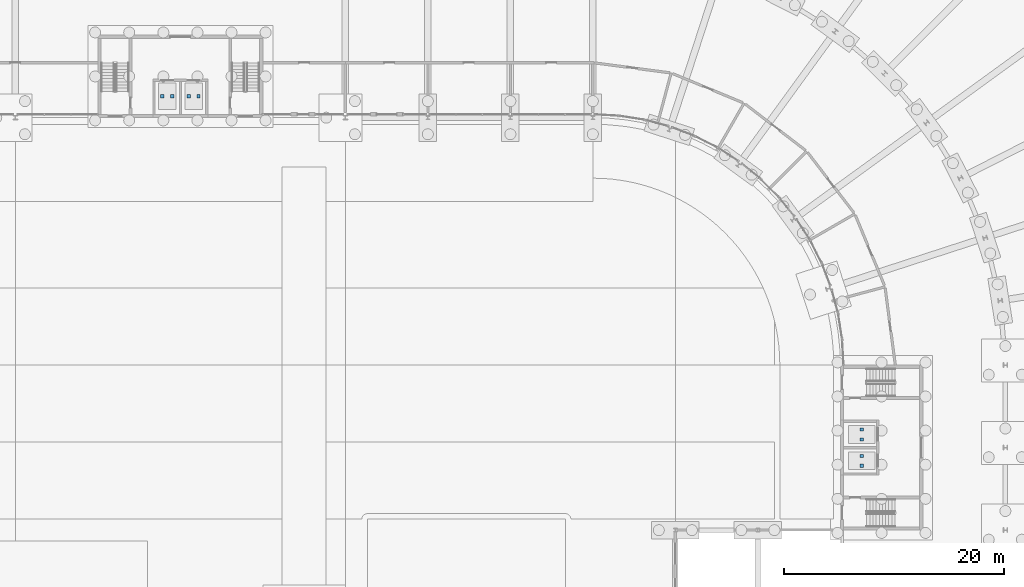
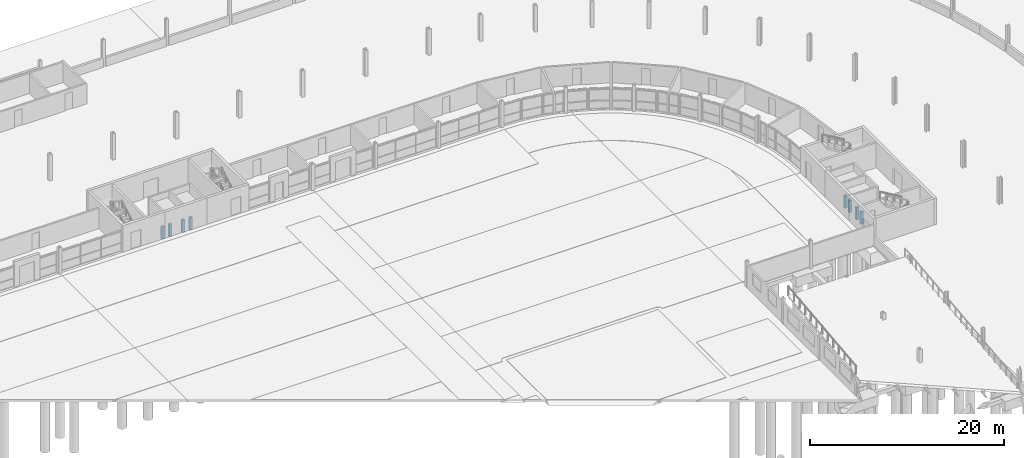
# One storey, part 100 of 130: 8 discrete accessories.
"""IFC4 building model written with IfcOpenShell, lengths in metres."""

import ifcopenshell
import ifcopenshell.guid

model = None  # the IFC model being written
_history = None  # IfcOwnerHistory: only IFC2X3 demands one
_inside = {}  # id of a spatial element -> (the spatial element, [elements in it])
_under = {}  # id of a project, library or spatial element -> (it, [spatial elements below it])
_declared = {}  # id of a project -> (the project, [libraries it declares])
_typed = {}  # id of a type object -> (the type object, [elements of that type])
_made_of = {}  # id of a material, layer set ... -> (it, [elements and type objects made of it])


def new_model(schema):
    """Start an empty IFC model of exactly this schema.

    Asked for "IFC4X3", IfcOpenShell would pick the latest addendum, in which some entities
    have other attributes; the version numbers below select the first issue.
    IFC2X3 requires an IfcOwnerHistory on every rooted entity: one is made here for all.
    """
    global model, _history
    if schema == "IFC4X3":
        model = ifcopenshell.file(schema_version=(4, 3, 0, 0))
    else:
        model = ifcopenshell.file(schema=schema)
    _inside.clear()
    _under.clear()
    _declared.clear()
    _typed.clear()
    _made_of.clear()
    _history = None
    if model.schema == "IFC2X3":
        org = make("IfcOrganization", Name="unknown")
        user = make(
            "IfcPersonAndOrganization",
            ThePerson=make("IfcPerson", FamilyName="unknown"),
            TheOrganization=org,
        )
        app = make(
            "IfcApplication",
            ApplicationDeveloper=org,
            Version="unknown",
            ApplicationFullName="unknown",
            ApplicationIdentifier="unknown",
        )
        _history = make(
            "IfcOwnerHistory",
            OwningUser=user,
            OwningApplication=app,
            ChangeAction="ADDED",
            CreationDate=0,
        )
    return model


def make(cls, **values):
    """One entity of the class cls with the attributes given. An attribute that is None is left unset."""
    return model.create_entity(
        cls, **{name: value for name, value in values.items() if value is not None}
    )


def rooted(cls, **values):
    """An entity with a GlobalId (a new one), such as an element, a storey or a relation."""
    return make(cls, GlobalId=ifcopenshell.guid.new(), OwnerHistory=_history, **values)


def si_unit(unit_type, name, prefix=None):
    """IfcSIUnit, for example si_unit("LENGTHUNIT", "METRE", prefix="MILLI")."""
    return make("IfcSIUnit", UnitType=unit_type, Prefix=prefix, Name=name)


def assignment(units):
    """IfcUnitAssignment: the units of a project."""
    return None if units is None else make("IfcUnitAssignment", Units=units)


def point(xyz):
    """IfcCartesianPoint."""
    return None if xyz is None else make("IfcCartesianPoint", Coordinates=xyz)


def direction(xyz):
    """IfcDirection."""
    return None if xyz is None else make("IfcDirection", DirectionRatios=xyz)


def frame(location, z_axis=None, x_axis=None):
    """IfcAxis2Placement3D, a coordinate frame: its origin and axes. An axis left out is left unset."""
    return make(
        "IfcAxis2Placement3D",
        Location=point(location),
        Axis=direction(z_axis),
        RefDirection=direction(x_axis),
    )


def frame_2d(location, x_axis=None):
    """IfcAxis2Placement2D, a coordinate frame in the plane: its origin and x axis."""
    return make(
        "IfcAxis2Placement2D", Location=point(location), RefDirection=direction(x_axis)
    )


def origin():
    """The frame at (0, 0, 0) with its axes left unset."""
    return frame((0.0, 0.0, 0.0))


def origin_2d():
    """The frame at (0, 0) in the plane with its x axis left unset."""
    return frame_2d((0.0, 0.0))


def place(relative_to, where):
    """IfcLocalPlacement: puts the frame where relative to a parent placement (None: the world)."""
    return make(
        "IfcLocalPlacement", PlacementRelTo=relative_to, RelativePlacement=where
    )


def context(
    kind, dimensions, precision=None, world=None, true_north=None, identifier=None
):
    """IfcGeometricRepresentationContext, for example the 3D "Model" context."""
    return make(
        "IfcGeometricRepresentationContext",
        ContextIdentifier=identifier,
        ContextType=kind,
        CoordinateSpaceDimension=dimensions,
        Precision=precision,
        WorldCoordinateSystem=world,
        TrueNorth=true_north,
    )


def subcontext(parent, identifier, kind, view, scale=None):
    """IfcGeometricRepresentationSubContext, for example "Body" below "Model"."""
    return make(
        "IfcGeometricRepresentationSubContext",
        ContextIdentifier=identifier,
        ContextType=kind,
        ParentContext=parent,
        TargetScale=scale,
        TargetView=view,
    )


def project(units=None, contexts=None):
    """IfcProject with its units and contexts."""
    return rooted(
        "IfcProject",
        Name="project",
        RepresentationContexts=contexts,
        UnitsInContext=assignment(units),
    )


def spatial(cls, under=None, at=None, **own):
    """A site, building, storey or space (cls), placed at a placement, below another one or the project."""
    s = rooted(cls, ObjectPlacement=at, **own)
    if under is not None:
        _under.setdefault(under.id(), (under, []))[1].append(s)
    return s


def profile(cls, at=None, kind="AREA", **sizes):
    """A parametric profile (cls). Its sizes go by their IFC names, for example OverallWidth=200.0."""
    return make(cls, ProfileType=kind, Position=at, **sizes)


def rectangle(**sizes):
    """IfcRectangleProfileDef."""
    return profile("IfcRectangleProfileDef", **sizes)


def extrude(swept, where, along, depth):
    """IfcExtrudedAreaSolid: the profile swept, set in the frame where, extruded along a direction by depth."""
    return make(
        "IfcExtrudedAreaSolid",
        SweptArea=swept,
        Position=where,
        ExtrudedDirection=direction(along),
        Depth=depth,
    )


def shape(context_of_items, identifier, shape_type, items):
    """IfcShapeRepresentation: the items that make up one representation, for example the "Body"."""
    return make(
        "IfcShapeRepresentation",
        ContextOfItems=context_of_items,
        RepresentationIdentifier=identifier,
        RepresentationType=shape_type,
        Items=items,
    )


def material(Name=None, Category=None):
    """IfcMaterial."""
    return make("IfcMaterial", Name=Name, Category=Category)


def made_of(thing, what):
    """Note that an element or type object is made of a material, layer set ...; save() writes the relation."""
    if what is not None:
        _made_of.setdefault(what.id(), (what, []))[1].append(thing)
    return thing


def type_object(cls, material=None, **own):
    """A type object (cls), such as IfcWallType, which elements share."""
    return made_of(rooted(cls, **own), material)


def element(
    cls,
    number,
    at=None,
    inside=None,
    cuts=None,
    type_object=None,
    material=None,
    context=None,
    identifier="Body",
    shape_type=None,
    held_by="IfcProductDefinitionShape",
    body=None,
    shapes=None,
    **own,
):
    """One element of the class cls, such as IfcWall. Its Tag is "e" and its number.

    at: its placement. inside: the storey or other place that contains it. cuts: it is an
    opening in that element (IfcRelVoidsElement). A single representation is given by context,
    identifier, shape_type and body (its items); several are given by shapes. held_by: the class
    of the entity that holds the representations. save() writes the other relations.
    """
    e = rooted(cls, Tag="e%d" % number, ObjectPlacement=at, **own)
    if body is not None:
        shapes = [shape(context, identifier, shape_type, body)]
    if shapes is not None:
        e.Representation = make(held_by, Representations=shapes)
    if inside is not None:
        _inside.setdefault(inside.id(), (inside, []))[1].append(e)
    if cuts is not None:
        rooted(
            "IfcRelVoidsElement", RelatingBuildingElement=cuts, RelatedOpeningElement=e
        )
    if type_object is not None:
        _typed.setdefault(type_object.id(), (type_object, []))[1].append(e)
    return made_of(e, material)


def aggregate(whole, parts):
    """IfcRelAggregates: a whole, such as a stair, and the parts it consists of."""
    return rooted("IfcRelAggregates", RelatingObject=whole, RelatedObjects=parts)


def save(model, path):
    """Write the relations noted so far, then the file.

    IfcRelAggregates (storeys below a building ...), IfcRelContainedInSpatialStructure (elements
    in a storey), IfcRelDefinesByType, IfcRelAssociatesMaterial and IfcRelDeclares: one each for
    every whole, place, type object, material and project.
    """
    for whole, parts in _under.values():
        aggregate(whole, parts)
    for where, things in _inside.values():
        rooted(
            "IfcRelContainedInSpatialStructure",
            RelatedElements=things,
            RelatingStructure=where,
        )
    for kind, things in _typed.values():
        rooted("IfcRelDefinesByType", RelatedObjects=things, RelatingType=kind)
    for what, things in _made_of.values():
        rooted("IfcRelAssociatesMaterial", RelatedObjects=things, RelatingMaterial=what)
    for by, libraries in _declared.values():
        rooted("IfcRelDeclares", RelatingContext=by, RelatedDefinitions=libraries)
    model.write(path)


model = new_model("IFC4")

# Units and contexts
model_context = context("Model", 3, precision=1e-05, world=origin(), true_north=direction((0.0, 1.0)))
body_context = subcontext(model_context, "Body", "Model", "MODEL_VIEW")
ifc_project = project(units=[si_unit("LENGTHUNIT", "METRE"), si_unit("AREAUNIT", "SQUARE_METRE"), si_unit("VOLUMEUNIT", "CUBIC_METRE"), si_unit("PLANEANGLEUNIT", "RADIAN"), si_unit("MASSUNIT", "GRAM", prefix="KILO")], contexts=[model_context])

# Site, building, storey
site_placement = place(None, origin())
site = spatial("IfcSite", under=ifc_project, at=site_placement, CompositionType="ELEMENT")
building_placement = place(site_placement, origin())
building = spatial("IfcBuilding", under=site, at=building_placement, Name="Parallax Yard Mobility Hub", CompositionType="ELEMENT")
storey_placement = place(building_placement, origin())
storey = spatial("IfcBuildingStorey", under=building, at=storey_placement, Name="L00", CompositionType="ELEMENT", Elevation=0.0)

# Discrete accessories
ifc_material = material(Name="Steel ASTM A36", Category="steel")
discrete_accessory_type = type_object("IfcDiscreteAccessoryType", Name="Lift car buffer stand", PredefinedType="BRACKET", material=ifc_material)
for number, where, z_axis, x_axis, name in (
    (1, (136.64990234375, 114.449951171875, -1.5), (0.0, 0.0, 1.0), (-1.0, 0.0, 0.0), "Lift LF6 buffer stand 1 in core C-N2"),
    (2, (135.75, 114.449951171875, -1.5), (0.0, 0.0, 1.0), (-1.0, 0.0, 0.0), "Lift LF6 buffer stand 2 in core C-N2"),
    (3, (134.25, 114.449951171875, -1.5), (0.0, 0.0, 1.0), (-1.0, 0.0, 0.0), "Lift LF7 buffer stand 1 in core C-N2"),
    (4, (133.35009765625, 114.449951171875, -1.5), (0.0, 0.0, 1.0), (-1.0, 0.0, 0.0), "Lift LF7 buffer stand 2 in core C-N2"),
    (5, (196.949951171875, 80.85009765625, -1.5), (0.0, 0.0, 1.0), (0.0, 1.0, 0.0), "Lift LF8 buffer stand 1 in core C-E"),
    (6, (196.949951171875, 81.75, -1.5), (0.0, 0.0, 1.0), (0.0, 1.0, 0.0), "Lift LF8 buffer stand 2 in core C-E"),
    (7, (196.949951171875, 83.25, -1.5), (0.0, 0.0, 1.0), (0.0, 1.0, 0.0), "Lift LF9 buffer stand 1 in core C-E"),
    (8, (196.949951171875, 84.14990234375, -1.5), (0.0, 0.0, 1.0), (0.0, 1.0, 0.0), "Lift LF9 buffer stand 2 in core C-E"),
):
    element("IfcDiscreteAccessory", number, at=place(storey_placement, frame(where, z_axis=z_axis, x_axis=x_axis)), inside=storey, type_object=discrete_accessory_type, Name=name, PredefinedType="BRACKET", context=body_context, shape_type="SweptSolid", body=[
        extrude(rectangle(XDim=0.300048828125, YDim=0.300048828125, at=origin_2d()), origin(), (0.0, 0.0, 1.0), 1.550048828125),
    ])

save(model, "model.ifc")
